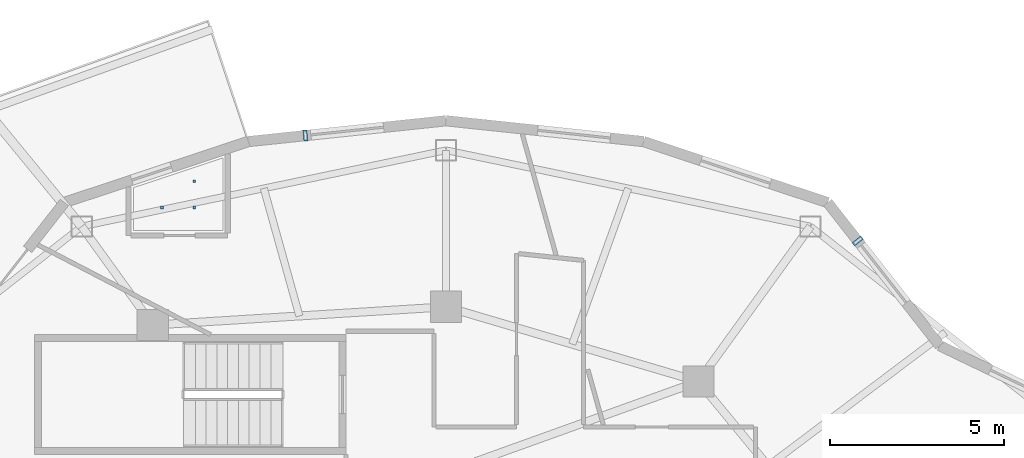
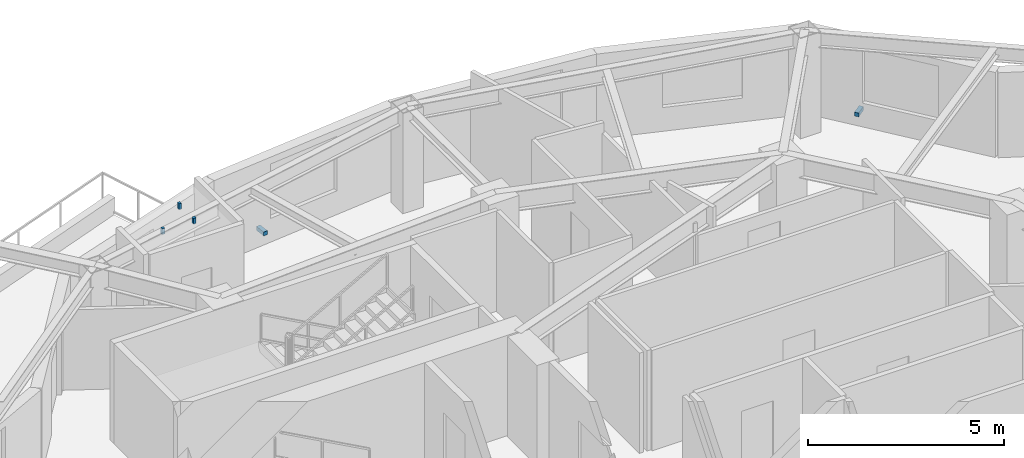
# One storey, part 9 of 14: 5 discrete accessories.
"""IFC4 building model written with IfcOpenShell, lengths in metres."""

from ifc_helpers import new_model, si_unit, direction, frame, origin, origin_2d, place, context, subcontext, project, spatial, rectangle, extrude, material, type_object, element, save


model = new_model("IFC4")

# Units and contexts
model_context = context("Model", 3, precision=1e-05, world=origin(), true_north=direction((0.0, 1.0)))
body_context = subcontext(model_context, "Body", "Model", "MODEL_VIEW")
ifc_project = project(units=[si_unit("LENGTHUNIT", "METRE"), si_unit("AREAUNIT", "SQUARE_METRE"), si_unit("VOLUMEUNIT", "CUBIC_METRE"), si_unit("PLANEANGLEUNIT", "RADIAN"), si_unit("MASSUNIT", "GRAM", prefix="KILO")], contexts=[model_context])

# Site, building, storey
site_placement = place(None, origin())
site = spatial("IfcSite", under=ifc_project, at=site_placement, CompositionType="ELEMENT")
building_placement = place(site_placement, origin())
building = spatial("IfcBuilding", under=site, at=building_placement, Name="Kolvaren Gate Tower and Convention Centre", CompositionType="ELEMENT")
storey_placement = place(building_placement, frame((0.0, 0.0, 173.300048828125)))
storey = spatial("IfcBuildingStorey", under=building, at=storey_placement, Name="L45", CompositionType="ELEMENT", Elevation=173.300048828125)

# Discrete accessories
ifc_material_1 = material(Name="Anodized Architectural Aluminium Alloy 6063-T6", Category="aluminium")
discrete_accessory_type_1 = type_object("IfcDiscreteAccessoryType", Name="ARCH-ACC-BRACKET-120", PredefinedType="BRACKET", material=ifc_material_1)
for number, where, z_axis, x_axis, name in (
    (1, (41.9580078125, 41.0947265625, 0.289794921875), (0.0, 0.0, 1.0), (0.616434119112, -0.787406487651, 0.0), "Ceramic Fin Wall Anchor Bracket FBK-L45-03"),
    (2, (26.083251953125, 44.124267578125, 0.289794921875), (0.0, 0.0, 1.0), (0.994499249941, 0.104743696069, 0.0), "Ceramic Fin Wall Anchor Bracket FBK-L45-06"),
):
    element("IfcDiscreteAccessory", number, at=place(storey_placement, frame(where, z_axis=z_axis, x_axis=x_axis)), inside=storey, type_object=discrete_accessory_type_1, Name=name, PredefinedType="BRACKET", context=body_context, shape_type="SweptSolid", body=[
        extrude(rectangle(XDim=0.1201171875, YDim=0.320068359375, at=origin_2d()), origin(), (0.0, 0.0, 1.0), 0.1201171875),
    ])
ifc_material_2 = material(Name="Brushed Stainless Steel Grade 316L", Category="steel")
discrete_accessory_type_2 = type_object("IfcDiscreteAccessoryType", Name="ARCH-ACC-HANGER-80", PredefinedType="BRACKET", material=ifc_material_2)
for number, where, z_axis, x_axis, name in (
    (3, (21.9619140625, 42.05810546875, 2.9501953125), (0.0, 0.0, 1.0), (1.0, 0.0, 0.0), "En-suite Bathroom (HTL-L45-06) Ceiling Suspension Hanger Clip 1"),
    (4, (22.887939453125, 42.05810546875, 2.9501953125), (0.0, 0.0, 1.0), (1.0, 0.0, 0.0), "En-suite Bathroom (HTL-L45-06) Ceiling Suspension Hanger Clip 2"),
    (5, (22.887939453125, 42.80908203125, 2.9501953125), (0.0, 0.0, 1.0), (1.0, 0.0, 0.0), "En-suite Bathroom (HTL-L45-06) Ceiling Suspension Hanger Clip 3"),
):
    element("IfcDiscreteAccessory", number, at=place(storey_placement, frame(where, z_axis=z_axis, x_axis=x_axis)), inside=storey, type_object=discrete_accessory_type_2, Name=name, PredefinedType="BRACKET", context=body_context, shape_type="SweptSolid", body=[
        extrude(rectangle(XDim=0.080078125, YDim=0.080078125, at=origin_2d()), origin(), (0.0, 0.0, 1.0), 0.179931640625),
    ])

save(model, "model.ifc")
